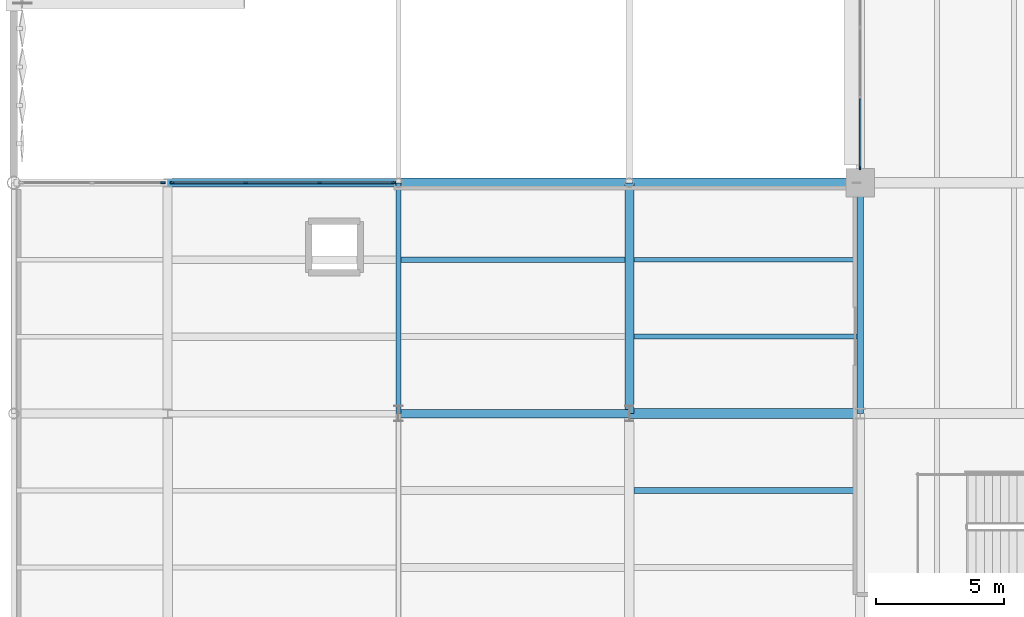
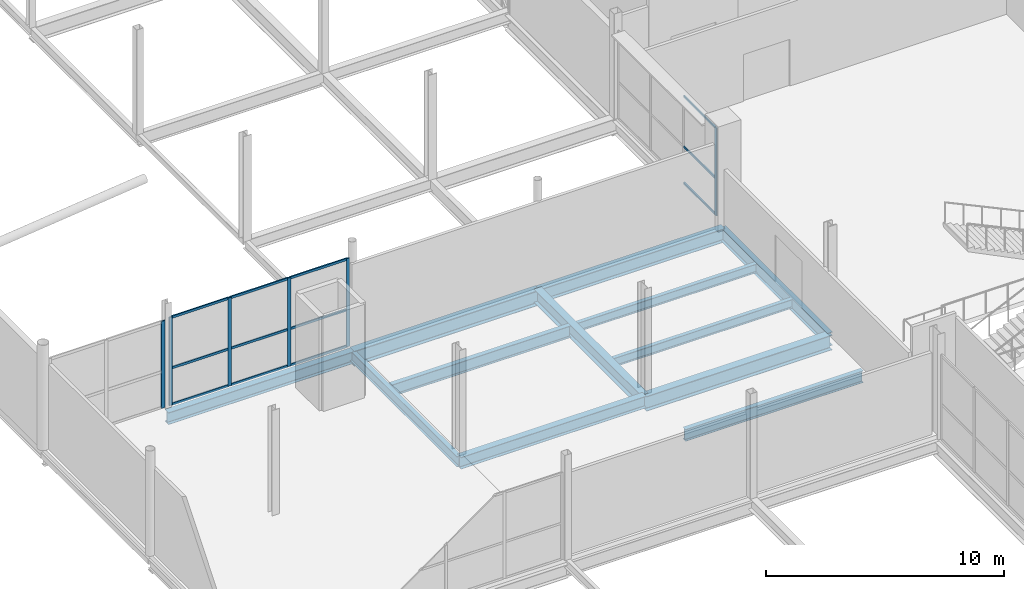
# One storey, part 47 of 119: 18 members, 12 beams, 3 elements without a shape of their own.
"""IFC4 building model written with IfcOpenShell, lengths in metres."""

from ifc_helpers import new_model, si_unit, direction, frame, origin, origin_2d, place, context, subcontext, project, spatial, rectangle, i_section, extrude, material, layer, layer_set, material_profile, profile_set, type_object, element, aggregate, save


model = new_model("IFC4")

# Units and contexts
model_context = context("Model", 3, precision=1e-05, world=origin(), true_north=direction((0.0, 1.0)))
body_context = subcontext(model_context, "Body", "Model", "MODEL_VIEW")
ifc_project = project(units=[si_unit("LENGTHUNIT", "METRE"), si_unit("AREAUNIT", "SQUARE_METRE"), si_unit("VOLUMEUNIT", "CUBIC_METRE"), si_unit("PLANEANGLEUNIT", "RADIAN"), si_unit("MASSUNIT", "GRAM", prefix="KILO")], contexts=[model_context])

# Site, building, storey
site_placement = place(None, origin())
site = spatial("IfcSite", under=ifc_project, at=site_placement, CompositionType="ELEMENT")
building_placement = place(site_placement, origin())
building = spatial("IfcBuilding", under=site, at=building_placement, Name="Qamarlyn Nura Convention Centre", CompositionType="ELEMENT")
storey_placement = place(building_placement, frame((0.0, 0.0, 5.39990234375)))
storey = spatial("IfcBuildingStorey", under=building, at=storey_placement, Name="L01", CompositionType="ELEMENT", Elevation=5.39990234375)

# Beams
ifc_material_1 = material(Name="Steel ASTM A992", Category="steel")
ifc_material_profile_1 = material_profile(ifc_material_1, i_section(OverallWidth=0.323974609375, OverallDepth=0.611083984375, WebThickness=0.0126953125, FlangeThickness=0.01904296875, FilletRadius=0.01611328125, at=origin_2d()), Name="W610X155")
ifc_profile_set_1 = profile_set([ifc_material_profile_1], Name="Steel ASTM A992")
beam_type_1 = type_object("IfcBeamType", Name="BM-GIRD-610", PredefinedType="BEAM", material=ifc_profile_set_1)
for number, where, z_axis, x_axis, name in (
    (1, (135.0, 36.0, -0.525390625), (1.0, 0.0, 0.0), (0.0, 1.0, 0.0), "L01 girder E 11-12"),
    (2, (126.0, 45.0, -0.54541015625), (1.0, 0.0, 0.0), (0.0, 1.0, 0.0), "L01 girder F 10-11"),
):
    element("IfcBeam", number, at=place(storey_placement, frame(where, z_axis=z_axis, x_axis=x_axis)), inside=storey, type_object=beam_type_1, Name=name, PredefinedType="BEAM", context=body_context, shape_type="SweptSolid", body=[
        extrude(i_section(OverallWidth=0.323974609375, OverallDepth=0.611083984375, WebThickness=0.0126953125, FlangeThickness=0.01904296875, FilletRadius=0.01611328125, at=origin_2d()), origin(), (0.0, 0.0, 1.0), 9.0),
    ])
ifc_material_profile_2 = material_profile(ifc_material_1, i_section(OverallWidth=0.35498046875, OverallDepth=0.695068359375, WebThickness=0.015380859375, FlangeThickness=0.02490234375, FilletRadius=0.01806640625, at=origin_2d()), Name="W690X217")
ifc_profile_set_2 = profile_set([ifc_material_profile_2], Name="Steel ASTM A992")
beam_type_2 = type_object("IfcBeamType", Name="BM-GIRD-690A", PredefinedType="BEAM", material=ifc_profile_set_2)
for number, where, z_axis, x_axis, name in (
    (3, (144.0, 45.0, -0.5673828125), (1.0, 0.0, 0.0), (0.0, 1.0, 0.0), "L01 girder F 12-13"),
    (4, (144.0, 36.0, -0.5673828125), (0.0, 1.0, 0.0), (-1.0, 0.0, 0.0), "L01 girder 12 E-F"),
):
    element("IfcBeam", number, at=place(storey_placement, frame(where, z_axis=z_axis, x_axis=x_axis)), inside=storey, type_object=beam_type_2, Name=name, PredefinedType="BEAM", context=body_context, shape_type="SweptSolid", body=[
        extrude(i_section(OverallWidth=0.35498046875, OverallDepth=0.695068359375, WebThickness=0.015380859375, FlangeThickness=0.02490234375, FilletRadius=0.01806640625, at=origin_2d()), origin(), (0.0, 0.0, 1.0), 9.0),
    ])
ifc_material_profile_3 = material_profile(ifc_material_1, i_section(OverallWidth=0.25390625, OverallDepth=0.68408203125, WebThickness=0.012451171875, FlangeThickness=0.01904296875, FilletRadius=0.01806640625, at=origin_2d()), Name="W690X140")
ifc_profile_set_3 = profile_set([ifc_material_profile_3], Name="Steel ASTM A992")
beam_type_3 = type_object("IfcBeamType", Name="BM-GIRD-690B", PredefinedType="BEAM", material=ifc_profile_set_3)
beam_1_placement = place(storey_placement, frame((153.0, 36.0, -0.56201171875), z_axis=(0.0, 1.0, 0.0), x_axis=(-1.0, 0.0, 0.0)))
element("IfcBeam", 5, at=beam_1_placement, inside=storey, type_object=beam_type_3, Name="L01 girder 13 E-F", PredefinedType="BEAM", context=body_context, shape_type="SweptSolid", body=[
    extrude(i_section(OverallWidth=0.25390625, OverallDepth=0.68408203125, WebThickness=0.012451171875, FlangeThickness=0.01904296875, FilletRadius=0.01806640625, at=origin_2d()), origin(), (0.0, 0.0, 1.0), 9.0),
])
ifc_material_profile_4 = material_profile(ifc_material_1, i_section(OverallWidth=0.381103515625, OverallDepth=0.77294921875, WebThickness=0.0166015625, FlangeThickness=0.027587890625, FilletRadius=0.02001953125, at=origin_2d()), Name="W760X257")
ifc_profile_set_4 = profile_set([ifc_material_profile_4], Name="Steel ASTM A992")
beam_type_4 = type_object("IfcBeamType", Name="BM-GIRD-760", PredefinedType="BEAM", material=ifc_profile_set_4)
for number, where, z_axis, x_axis, name in (
    (6, (144.0, 36.0, -0.6064453125), (1.0, 0.0, 0.0), (0.0, 1.0, 0.0), "L01 girder E 12-13"),
    (7, (135.0, 45.0, -0.6064453125), (1.0, 0.0, 0.0), (0.0, 1.0, 0.0), "L01 girder F 11-12"),
):
    element("IfcBeam", number, at=place(storey_placement, frame(where, z_axis=z_axis, x_axis=x_axis)), inside=storey, type_object=beam_type_4, Name=name, PredefinedType="BEAM", context=body_context, shape_type="SweptSolid", body=[
        extrude(i_section(OverallWidth=0.381103515625, OverallDepth=0.77294921875, WebThickness=0.0166015625, FlangeThickness=0.027587890625, FilletRadius=0.02001953125, at=origin_2d()), origin(), (0.0, 0.0, 1.0), 9.0),
    ])
ifc_material_profile_5 = material_profile(ifc_material_1, i_section(OverallWidth=0.18994140625, OverallDepth=0.45703125, WebThickness=0.009033203125, FlangeThickness=0.014404296875, FilletRadius=0.012939453125, at=origin_2d()), Name="W460X74")
ifc_profile_set_5 = profile_set([ifc_material_profile_5], Name="Steel ASTM A992")
beam_type_5 = type_object("IfcBeamType", Name="BM-JOIST-460", PredefinedType="JOIST", material=ifc_profile_set_5)
for number, where, z_axis, x_axis, name in (
    (8, (144.177490234375, 39.0, -0.448486328125), (1.0, 0.0, 0.0), (0.0, 1.0, 0.0), "L01 composite joist 12-13/E+1"),
    (9, (144.177490234375, 42.0, -0.448486328125), (1.0, 0.0, 0.0), (0.0, 1.0, 0.0), "L01 composite joist 12-13/E+2"),
):
    element("IfcBeam", number, at=place(storey_placement, frame(where, z_axis=z_axis, x_axis=x_axis)), inside=storey, type_object=beam_type_5, Name=name, PredefinedType="JOIST", context=body_context, shape_type="SweptSolid", body=[
        extrude(i_section(OverallWidth=0.18994140625, OverallDepth=0.45703125, WebThickness=0.009033203125, FlangeThickness=0.014404296875, FilletRadius=0.012939453125, at=origin_2d()), origin(), (0.0, 0.0, 1.0), 8.695556640625),
    ])
ifc_material_profile_6 = material_profile(ifc_material_1, i_section(OverallWidth=0.22802734375, OverallDepth=0.60791015625, WebThickness=0.01123046875, FlangeThickness=0.017333984375, FilletRadius=0.01611328125, at=origin_2d()), Name="W610X113")
ifc_profile_set_6 = profile_set([ifc_material_profile_6], Name="Steel ASTM A992")
beam_type_6 = type_object("IfcBeamType", Name="BM-JOIST-610", PredefinedType="JOIST", material=ifc_profile_set_6)
beam_2_placement = place(storey_placement, frame((135.10546875, 42.0, -0.52392578125), z_axis=(1.0, 0.0, 0.0), x_axis=(0.0, 1.0, 0.0)))
element("IfcBeam", 10, at=beam_2_placement, inside=storey, type_object=beam_type_6, Name="L01 composite joist 11-12/E+2", PredefinedType="JOIST", context=body_context, shape_type="SweptSolid", body=[
    extrude(i_section(OverallWidth=0.22802734375, OverallDepth=0.60791015625, WebThickness=0.01123046875, FlangeThickness=0.017333984375, FilletRadius=0.01611328125, at=origin_2d()), origin(), (0.0, 0.0, 1.0), 8.717041015625),
])
beam_3_placement = place(storey_placement, frame((144.1904296875, 33.0, -0.52392578125), z_axis=(1.0, 0.0, 0.0), x_axis=(0.0, 1.0, 0.0)))
element("IfcBeam", 11, at=beam_3_placement, inside=storey, type_object=beam_type_6, Name="L01 composite joist 12-13/D+2", PredefinedType="JOIST", context=body_context, shape_type="SweptSolid", body=[
    extrude(i_section(OverallWidth=0.22802734375, OverallDepth=0.60791015625, WebThickness=0.01123046875, FlangeThickness=0.017333984375, FilletRadius=0.01611328125, at=origin_2d()), origin(), (0.0, 0.0, 1.0), 8.632080078125),
])
ifc_material_profile_7 = material_profile(ifc_material_1, i_section(OverallWidth=0.2109375, OverallDepth=0.5390625, WebThickness=0.01171875, FlangeThickness=0.018798828125, FilletRadius=0.013916015625, at=origin_2d()), Name="W530X109")
ifc_profile_set_7 = profile_set([ifc_material_profile_7], Name="Steel ASTM A992")
beam_type_7 = type_object("IfcBeamType", Name="BM-SPAN-530", PredefinedType="SPANDREL", material=ifc_profile_set_7)
beam_4_placement = place(storey_placement, frame((135.0, 36.0, -0.509521484375), z_axis=(0.0, 1.0, 0.0), x_axis=(-1.0, 0.0, 0.0)))
element("IfcBeam", 12, at=beam_4_placement, inside=storey, type_object=beam_type_7, Name="L01 girder 11 E-F", PredefinedType="SPANDREL", context=body_context, shape_type="SweptSolid", body=[
    extrude(i_section(OverallWidth=0.2109375, OverallDepth=0.5390625, WebThickness=0.01171875, FlangeThickness=0.018798828125, FilletRadius=0.013916015625, at=origin_2d()), origin(), (0.0, 0.0, 1.0), 9.0),
])

# Curtain wall, member
ifc_material_2 = material(Name="Double-silver low-E insulated glass", Category="glass")
ifc_layer_1 = layer(ifc_material_2, 0.179931640625, Name="CW-UNIT-82")
ifc_layer_set_1 = layer_set([ifc_layer_1], Name="Double-silver low-E insulated glass")
curtain_wall_type_1 = type_object("IfcCurtainWallType", Name="CW-UNIT-82", PredefinedType="NOTDEFINED", material=ifc_layer_set_1)
curtain_wall_1_placement = place(storey_placement, origin())
curtain_wall_1 = element("IfcCurtainWall", 13, at=curtain_wall_1_placement, inside=storey, type_object=curtain_wall_type_1, Name="L01 unitised curtain wall CRT-45-1", PredefinedType="NOTDEFINED")
ifc_material_3 = material(Name="Champagne-anodised marine aluminium", Category="aluminium")
ifc_material_profile_8 = material_profile(ifc_material_3, rectangle(XDim=0.06005859375, YDim=0.139892578125, at=origin_2d()), Name="ALU MULLION 60x140")
ifc_profile_set_8 = profile_set([ifc_material_profile_8], Name="Champagne-anodised marine aluminium")
member_type_1 = type_object("IfcMemberType", Name="CWM-140", PredefinedType="MULLION", material=ifc_profile_set_8)
member_1_placement = place(storey_placement, frame((153.0, 45.580078125, 0.0), z_axis=(0.0, 0.0, 1.0), x_axis=(-1.0, 0.0, 0.0)))
member_1 = element("IfcMember", 14, at=member_1_placement, type_object=member_type_1, Name="CW82 mullion 1", PredefinedType="MULLION", context=body_context, shape_type="SweptSolid", body=[
    extrude(rectangle(XDim=0.06005859375, YDim=0.139892578125, at=origin_2d()), origin(), (0.0, 0.0, 1.0), 4.51416015625),
])

# Curtain wall, members
ifc_layer_2 = layer(ifc_material_2, 0.179931640625, Name="CW-UNIT-52")
ifc_layer_set_2 = layer_set([ifc_layer_2], Name="Double-silver low-E insulated glass")
curtain_wall_type_2 = type_object("IfcCurtainWallType", Name="CW-UNIT-52", PredefinedType="NOTDEFINED", material=ifc_layer_set_2)
curtain_wall_2_placement = place(storey_placement, origin())
curtain_wall_2 = element("IfcCurtainWall", 15, at=curtain_wall_2_placement, inside=storey, type_object=curtain_wall_type_2, Name="L01 unitised curtain wall BRG-N-2", PredefinedType="NOTDEFINED")
ifc_material_profile_9 = material_profile(ifc_material_3, rectangle(XDim=0.06494140625, YDim=0.159912109375, at=origin_2d()), Name="ALU MULLION 65x160")
ifc_profile_set_9 = profile_set([ifc_material_profile_9], Name="Champagne-anodised marine aluminium")
member_type_2 = type_object("IfcMemberType", Name="CWM-160", PredefinedType="MULLION", material=ifc_profile_set_9)
member_2_placement = place(storey_placement, frame((126.18505859375, 45.0, 0.0), z_axis=(0.0, 0.0, 1.0), x_axis=(0.0, 1.0, 0.0)))
member_2 = element("IfcMember", 16, at=member_2_placement, type_object=member_type_2, Name="CW52 mullion 1", PredefinedType="MULLION", context=body_context, shape_type="SweptSolid", body=[
    extrude(rectangle(XDim=0.06494140625, YDim=0.159912109375, at=origin_2d()), origin(), (0.0, 0.0, 1.0), 4.5341796875),
])
member_3_placement = place(storey_placement, frame((129.04248046875, 45.0, 0.0), z_axis=(0.0, 0.0, 1.0), x_axis=(0.0, 1.0, 0.0)))
member_3 = element("IfcMember", 17, at=member_3_placement, type_object=member_type_2, Name="CW52 mullion 2", PredefinedType="MULLION", context=body_context, shape_type="SweptSolid", body=[
    extrude(rectangle(XDim=0.06494140625, YDim=0.159912109375, at=origin_2d()), origin(), (0.0, 0.0, 1.0), 4.5341796875),
])
member_4_placement = place(storey_placement, frame((131.932373046875, 45.0, 0.0), z_axis=(0.0, 0.0, 1.0), x_axis=(0.0, 1.0, 0.0)))
member_4 = element("IfcMember", 18, at=member_4_placement, type_object=member_type_2, Name="CW52 mullion 3", PredefinedType="MULLION", context=body_context, shape_type="SweptSolid", body=[
    extrude(rectangle(XDim=0.06494140625, YDim=0.159912109375, at=origin_2d()), origin(), (0.0, 0.0, 1.0), 4.5341796875),
])
member_5_placement = place(storey_placement, frame((134.789794921875, 45.0, 0.0), z_axis=(0.0, 0.0, 1.0), x_axis=(0.0, 1.0, 0.0)))
member_5 = element("IfcMember", 19, at=member_5_placement, type_object=member_type_2, Name="CW52 mullion 4", PredefinedType="MULLION", context=body_context, shape_type="SweptSolid", body=[
    extrude(rectangle(XDim=0.06494140625, YDim=0.159912109375, at=origin_2d()), origin(), (0.0, 0.0, 1.0), 4.5341796875),
])

# Curtain wall, member
ifc_layer_3 = layer(ifc_material_2, 0.179931640625, Name="CW-UNIT-51")
ifc_layer_set_3 = layer_set([ifc_layer_3], Name="Double-silver low-E insulated glass")
curtain_wall_type_3 = type_object("IfcCurtainWallType", Name="CW-UNIT-51", PredefinedType="NOTDEFINED", material=ifc_layer_set_3)
curtain_wall_3_placement = place(storey_placement, origin())
curtain_wall_3 = element("IfcCurtainWall", 20, at=curtain_wall_3_placement, inside=storey, type_object=curtain_wall_type_3, Name="L01 unitised curtain wall BRG-N-1", PredefinedType="NOTDEFINED")
ifc_material_profile_10 = material_profile(ifc_material_3, rectangle(XDim=0.070068359375, YDim=0.179931640625, at=origin_2d()), Name="ALU MULLION 70x180")
ifc_profile_set_10 = profile_set([ifc_material_profile_10], Name="Champagne-anodised marine aluminium")
member_type_3 = type_object("IfcMemberType", Name="CWM-180", PredefinedType="MULLION", material=ifc_profile_set_10)
member_6_placement = place(storey_placement, frame((125.8125, 45.0, 0.0), z_axis=(0.0, 0.0, 1.0), x_axis=(0.0, 1.0, 0.0)))
member_6 = element("IfcMember", 21, at=member_6_placement, type_object=member_type_3, Name="CW51 mullion 3", PredefinedType="MULLION", context=body_context, shape_type="SweptSolid", body=[
    extrude(rectangle(XDim=0.070068359375, YDim=0.179931640625, at=origin_2d()), origin(), (0.0, 0.0, 1.0), 4.461181640625),
])
aggregate(curtain_wall_3, [member_6])

# Member
ifc_material_profile_11 = material_profile(ifc_material_3, rectangle(XDim=0.06005859375, YDim=0.10009765625, at=origin_2d()), Name="ALU TRANSOM 60x100")
ifc_profile_set_11 = profile_set([ifc_material_profile_11], Name="Champagne-anodised marine aluminium")
member_type_4 = type_object("IfcMemberType", Name="CWT-100", PredefinedType="USERDEFINED", material=ifc_profile_set_11)
member_7_placement = place(storey_placement, frame((153.0, 45.610107421875, 0.030029296875), z_axis=(0.0, 1.0, 0.0), x_axis=(-1.0, 0.0, 0.0)))
member_7 = element("IfcMember", 22, at=member_7_placement, type_object=member_type_4, Name="CW82 transom 1.1", ObjectType="TRANSOM", PredefinedType="USERDEFINED", context=body_context, shape_type="SweptSolid", body=[
    extrude(rectangle(XDim=0.06005859375, YDim=0.10009765625, at=origin_2d()), origin(), (0.0, 0.0, 1.0), 2.659912109375),
])

member_8_placement = place(storey_placement, frame((153.0, 45.610107421875, 1.89599609375), z_axis=(0.0, 1.0, 0.0), x_axis=(-1.0, 0.0, 0.0)))
member_8 = element("IfcMember", 23, at=member_8_placement, type_object=member_type_4, Name="CW82 transom 1.2", ObjectType="TRANSOM", PredefinedType="USERDEFINED", context=body_context, shape_type="SweptSolid", body=[
    extrude(rectangle(XDim=0.06005859375, YDim=0.10009765625, at=origin_2d()), origin(), (0.0, 0.0, 1.0), 2.659912109375),
])

member_9_placement = place(storey_placement, frame((153.0, 45.610107421875, 4.484130859375), z_axis=(0.0, 1.0, 0.0), x_axis=(-1.0, 0.0, 0.0)))
member_9 = element("IfcMember", 24, at=member_9_placement, type_object=member_type_4, Name="CW82 transom 1.3", ObjectType="TRANSOM", PredefinedType="USERDEFINED", context=body_context, shape_type="SweptSolid", body=[
    extrude(rectangle(XDim=0.06005859375, YDim=0.10009765625, at=origin_2d()), origin(), (0.0, 0.0, 1.0), 2.659912109375),
])

aggregate(curtain_wall_1, [member_1, member_7, member_8, member_9])

ifc_material_profile_12 = material_profile(ifc_material_3, rectangle(XDim=0.06494140625, YDim=0.1201171875, at=origin_2d()), Name="ALU TRANSOM 65x120")
ifc_profile_set_12 = profile_set([ifc_material_profile_12], Name="Champagne-anodised marine aluminium")
member_type_5 = type_object("IfcMemberType", Name="CWT-120", PredefinedType="USERDEFINED", material=ifc_profile_set_12)
member_10_placement = place(storey_placement, frame((126.217529296875, 45.0, 0.03271484375), z_axis=(1.0, 0.0, 0.0), x_axis=(0.0, 1.0, 0.0)))
member_10 = element("IfcMember", 25, at=member_10_placement, type_object=member_type_5, Name="CW52 transom 1.1", ObjectType="TRANSOM", PredefinedType="USERDEFINED", context=body_context, shape_type="SweptSolid", body=[
    extrude(rectangle(XDim=0.06494140625, YDim=0.1201171875, at=origin_2d()), origin(), (0.0, 0.0, 1.0), 2.79248046875),
])

member_11_placement = place(storey_placement, frame((126.217529296875, 45.0, 1.904052734375), z_axis=(1.0, 0.0, 0.0), x_axis=(0.0, 1.0, 0.0)))
member_11 = element("IfcMember", 26, at=member_11_placement, type_object=member_type_5, Name="CW52 transom 1.2", ObjectType="TRANSOM", PredefinedType="USERDEFINED", context=body_context, shape_type="SweptSolid", body=[
    extrude(rectangle(XDim=0.06494140625, YDim=0.1201171875, at=origin_2d()), origin(), (0.0, 0.0, 1.0), 2.79248046875),
])

member_12_placement = place(storey_placement, frame((126.217529296875, 45.0, 4.501708984375), z_axis=(1.0, 0.0, 0.0), x_axis=(0.0, 1.0, 0.0)))
member_12 = element("IfcMember", 27, at=member_12_placement, type_object=member_type_5, Name="CW52 transom 1.3", ObjectType="TRANSOM", PredefinedType="USERDEFINED", context=body_context, shape_type="SweptSolid", body=[
    extrude(rectangle(XDim=0.06494140625, YDim=0.1201171875, at=origin_2d()), origin(), (0.0, 0.0, 1.0), 2.79248046875),
])

member_13_placement = place(storey_placement, frame((129.074951171875, 45.0, 0.03271484375), z_axis=(1.0, 0.0, 0.0), x_axis=(0.0, 1.0, 0.0)))
member_13 = element("IfcMember", 28, at=member_13_placement, type_object=member_type_5, Name="CW52 transom 2.1", ObjectType="TRANSOM", PredefinedType="USERDEFINED", context=body_context, shape_type="SweptSolid", body=[
    extrude(rectangle(XDim=0.06494140625, YDim=0.1201171875, at=origin_2d()), origin(), (0.0, 0.0, 1.0), 2.824951171875),
])

member_14_placement = place(storey_placement, frame((129.074951171875, 45.0, 1.904052734375), z_axis=(1.0, 0.0, 0.0), x_axis=(0.0, 1.0, 0.0)))
member_14 = element("IfcMember", 29, at=member_14_placement, type_object=member_type_5, Name="CW52 transom 2.2", ObjectType="TRANSOM", PredefinedType="USERDEFINED", context=body_context, shape_type="SweptSolid", body=[
    extrude(rectangle(XDim=0.06494140625, YDim=0.1201171875, at=origin_2d()), origin(), (0.0, 0.0, 1.0), 2.824951171875),
])

member_15_placement = place(storey_placement, frame((129.074951171875, 45.0, 4.501708984375), z_axis=(1.0, 0.0, 0.0), x_axis=(0.0, 1.0, 0.0)))
member_15 = element("IfcMember", 30, at=member_15_placement, type_object=member_type_5, Name="CW52 transom 2.3", ObjectType="TRANSOM", PredefinedType="USERDEFINED", context=body_context, shape_type="SweptSolid", body=[
    extrude(rectangle(XDim=0.06494140625, YDim=0.1201171875, at=origin_2d()), origin(), (0.0, 0.0, 1.0), 2.824951171875),
])

member_16_placement = place(storey_placement, frame((131.96484375, 45.0, 0.03271484375), z_axis=(1.0, 0.0, 0.0), x_axis=(0.0, 1.0, 0.0)))
member_16 = element("IfcMember", 31, at=member_16_placement, type_object=member_type_5, Name="CW52 transom 3.1", ObjectType="TRANSOM", PredefinedType="USERDEFINED", context=body_context, shape_type="SweptSolid", body=[
    extrude(rectangle(XDim=0.06494140625, YDim=0.1201171875, at=origin_2d()), origin(), (0.0, 0.0, 1.0), 2.792236328125),
])

member_17_placement = place(storey_placement, frame((131.96484375, 45.0, 1.904052734375), z_axis=(1.0, 0.0, 0.0), x_axis=(0.0, 1.0, 0.0)))
member_17 = element("IfcMember", 32, at=member_17_placement, type_object=member_type_5, Name="CW52 transom 3.2", ObjectType="TRANSOM", PredefinedType="USERDEFINED", context=body_context, shape_type="SweptSolid", body=[
    extrude(rectangle(XDim=0.06494140625, YDim=0.1201171875, at=origin_2d()), origin(), (0.0, 0.0, 1.0), 2.792236328125),
])

member_18_placement = place(storey_placement, frame((131.96484375, 45.0, 4.501708984375), z_axis=(1.0, 0.0, 0.0), x_axis=(0.0, 1.0, 0.0)))
member_18 = element("IfcMember", 33, at=member_18_placement, type_object=member_type_5, Name="CW52 transom 3.3", ObjectType="TRANSOM", PredefinedType="USERDEFINED", context=body_context, shape_type="SweptSolid", body=[
    extrude(rectangle(XDim=0.06494140625, YDim=0.1201171875, at=origin_2d()), origin(), (0.0, 0.0, 1.0), 2.792236328125),
])

aggregate(curtain_wall_2, [member_2, member_3, member_4, member_5, member_10, member_11, member_12, member_13, member_14, member_15, member_16, member_17, member_18])

save(model, "model.ifc")
